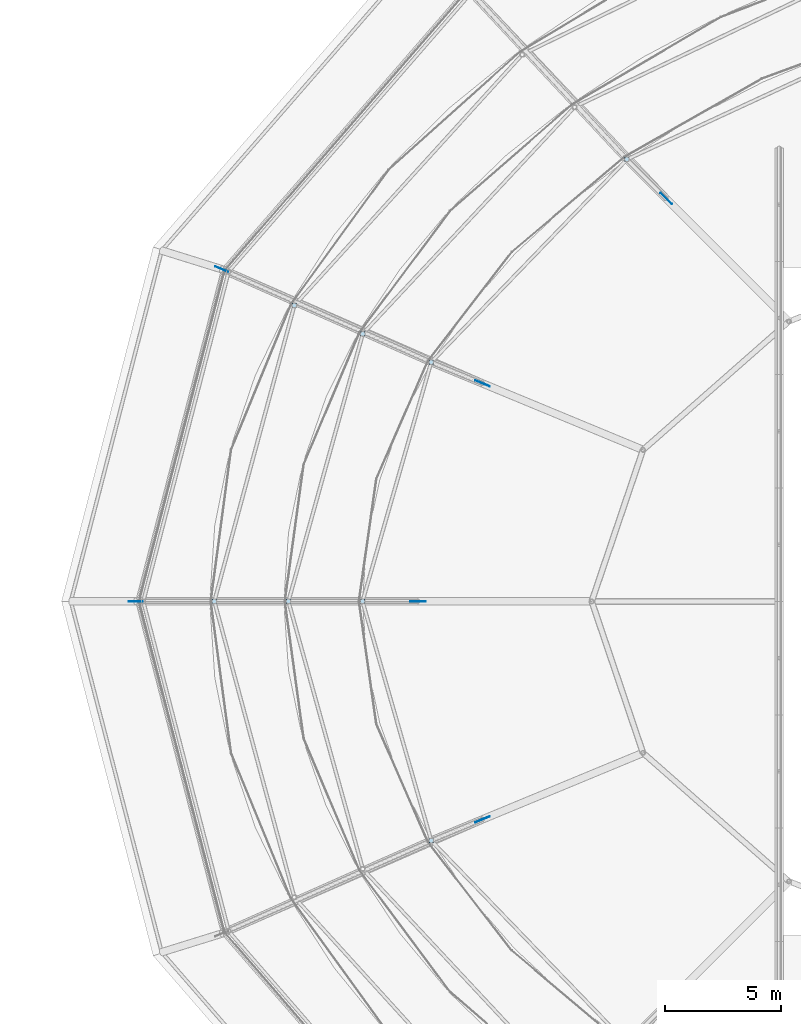
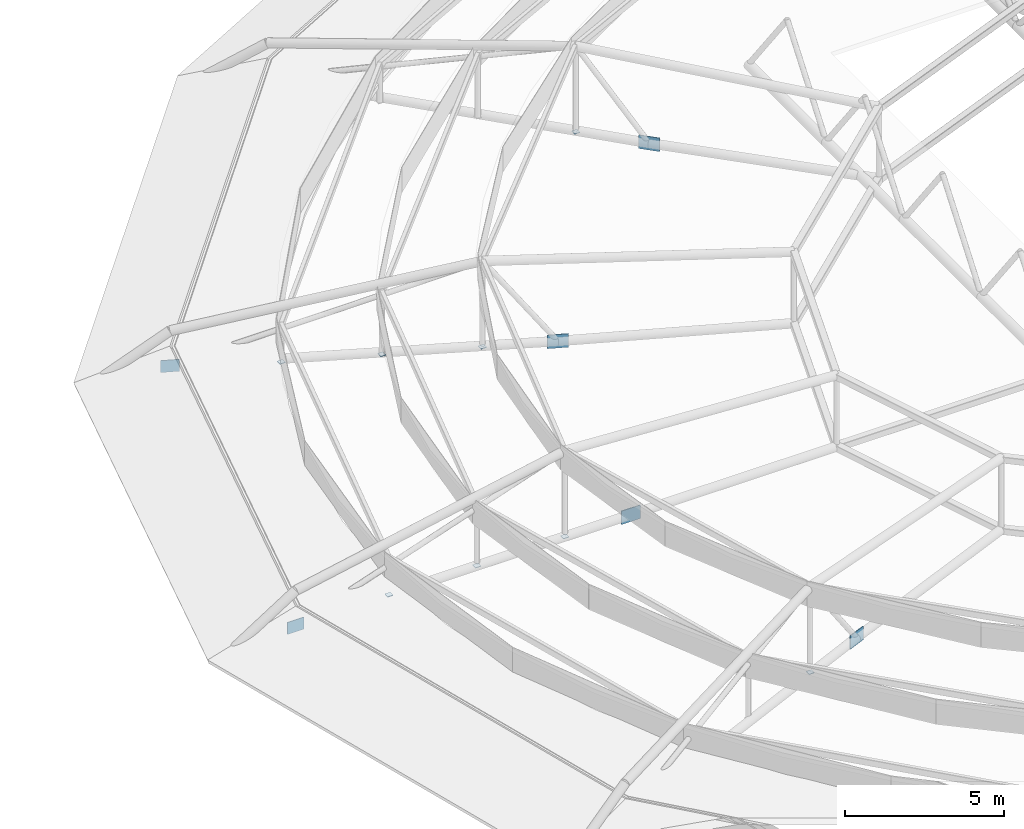
# One storey, part 115 of 134: 14 plates.
"""IFC4 building model written with IfcOpenShell, lengths in metres."""

from ifc_helpers import new_model, si_unit, derived_unit, direction, frame, origin, origin_2d, place, context, subcontext, project, spatial, rectangle, extrude, material, layer, layer_set, type_object, element, save


model = new_model("IFC4")

# Units and contexts
model_context = context("Model", 3, precision=1e-05, world=origin(), true_north=direction((0.0, 1.0)))
body_context = subcontext(model_context, "Body", "Model", "MODEL_VIEW")
ifc_project = project(units=[si_unit("LENGTHUNIT", "METRE"), si_unit("AREAUNIT", "SQUARE_METRE"), si_unit("VOLUMEUNIT", "CUBIC_METRE"), si_unit("PLANEANGLEUNIT", "RADIAN"), si_unit("MASSUNIT", "GRAM", prefix="KILO"), derived_unit("THERMALTRANSMITTANCEUNIT", [(si_unit("MASSUNIT", "GRAM", prefix="KILO"), 1), (si_unit("TIMEUNIT", "SECOND"), -3), (si_unit("THERMODYNAMICTEMPERATUREUNIT", "KELVIN"), -1)])], contexts=[model_context])

# Site, building, storey
site_placement = place(None, origin())
site = spatial("IfcSite", under=ifc_project, at=site_placement, CompositionType="ELEMENT")
building_placement = place(site_placement, origin())
building = spatial("IfcBuilding", under=site, at=building_placement, Name="Kharveza Railside Sports Centre", CompositionType="ELEMENT")
storey_placement = place(building_placement, frame((0.0, 0.0, 12.89990234375)))
storey = spatial("IfcBuildingStorey", under=building, at=storey_placement, Name="L03", CompositionType="ELEMENT", Elevation=12.89990234375)

# Plates
ifc_material = material(Name="Steel S355J2", Category="steel")
ifc_layer_1 = layer(ifc_material, 0.02001953125, Name="Steel S355J2")
ifc_layer_set_1 = layer_set([ifc_layer_1], Name="Steel S355J2")
plate_type_1 = type_object("IfcPlateType", Name="PL-EC09", PredefinedType="USERDEFINED", material=ifc_layer_set_1)
for number, where, z_axis, x_axis, name in (
    (1, (12.656005859375, 63.181640625, -0.059814453125), (0.0, 0.0, 1.0), (1.0, 0.0, 0.0), "PLT-EC-027"),
    (2, (9.199951171875, 50.39990234375, -0.059814453125), (0.0, 0.0, 1.0), (1.0, 0.0, 0.0), "PLT-EC-028"),
    (3, (15.6123046875, 61.95703125, -0.059814453125), (0.0, 0.0, 1.0), (1.0, 0.0, 0.0), "PLT-EC-043"),
    (4, (12.39990234375, 50.39990234375, -0.059814453125), (0.0, 0.0, 1.0), (1.0, 0.0, 0.0), "PLT-EC-044"),
    (5, (27.022705078125, 69.491943359375, -0.059814453125), (0.0, 0.0, 1.0), (1.0, 0.0, 0.0), "PLT-EC-058"),
    (6, (18.568603515625, 60.732421875, -0.059814453125), (0.0, 0.0, 1.0), (1.0, 0.0, 0.0), "PLT-EC-059"),
    (7, (15.60009765625, 50.39990234375, -0.059814453125), (0.0, 0.0, 1.0), (1.0, 0.0, 0.0), "PLT-EC-060"),
    (8, (18.568603515625, 40.0673828125, -0.059814453125), (0.0, 0.0, 1.0), (1.0, 0.0, 0.0), "PLT-EC-061"),
):
    element("IfcPlate", number, at=place(storey_placement, frame(where, z_axis=z_axis, x_axis=x_axis)), inside=storey, type_object=plate_type_1, Name=name, ObjectType="END_CAP_PLATE", PredefinedType="USERDEFINED", context=body_context, shape_type="SweptSolid", body=[
        extrude(rectangle(XDim=0.194091796875, YDim=0.194091796875, at=origin_2d()), origin(), (0.0, 0.0, 1.0), 0.02001953125),
    ])
ifc_layer_2 = layer(ifc_material, 0.030029296875, Name="Steel S355J2")
ifc_layer_set_2 = layer_set([ifc_layer_2], Name="Steel S355J2")
plate_type_2 = type_object("IfcPlateType", Name="PL-GS01", PredefinedType="USERDEFINED", material=ifc_layer_set_2)
for number, where, z_axis, x_axis, name in (
    (9, (28.719970703125, 67.794921875, -0.309814453125), (0.0, 0.0, 1.0), (-0.707106781187, 0.707106781187, 0.0), "PLT-GS-DRUM-07"),
    (10, (20.785888671875, 59.81396484375, -0.309814453125), (0.0, 0.0, 1.0), (-0.923879532511, 0.382683432365, 0.0), "PLT-GS-DRUM-08"),
    (11, (18.0, 50.39990234375, -0.309814453125), (0.0, 0.0, 1.0), (-1.0, 0.0, 0.0), "PLT-GS-DRUM-09"),
    (12, (20.785888671875, 40.986083984375, -0.309814453125), (0.0, 0.0, 1.0), (-0.923879532511, -0.382683432365, 0.0), "PLT-GS-DRUM-10"),
):
    element("IfcPlate", number, at=place(storey_placement, frame(where, z_axis=z_axis, x_axis=x_axis)), inside=storey, type_object=plate_type_2, Name=name, ObjectType="GUSSET_PLATE", PredefinedType="USERDEFINED", context=body_context, shape_type="SweptSolid", body=[
        extrude(rectangle(XDim=0.679931640625, YDim=0.030029296875, at=origin_2d()), origin(), (0.0, 0.0, 1.0), 0.52001953125),
    ])
ifc_layer_3 = layer(ifc_material, 0.02490234375, Name="Steel S355J2")
ifc_layer_set_3 = layer_set([ifc_layer_3], Name="Steel S355J2")
plate_type_3 = type_object("IfcPlateType", Name="PL-GS02", PredefinedType="USERDEFINED", material=ifc_layer_set_3)
for number, where, z_axis, x_axis, name in (
    (13, (9.5146484375, 64.75048828125, -0.27978515625), (0.0, 0.0, 1.0), (-0.923879532511, 0.382683432365, 0.0), "PLT-GS-RAKER-08"),
    (14, (5.800048828125, 50.39990234375, -0.27978515625), (0.0, 0.0, 1.0), (-1.0, 0.0, 0.0), "PLT-GS-RAKER-09"),
):
    element("IfcPlate", number, at=place(storey_placement, frame(where, z_axis=z_axis, x_axis=x_axis)), inside=storey, type_object=plate_type_3, Name=name, ObjectType="GUSSET_PLATE", PredefinedType="USERDEFINED", context=body_context, shape_type="SweptSolid", body=[
        extrude(rectangle(XDim=0.60009765625, YDim=0.02490234375, at=origin_2d()), origin(), (0.0, 0.0, 1.0), 0.4599609375),
    ])

save(model, "model.ifc")
